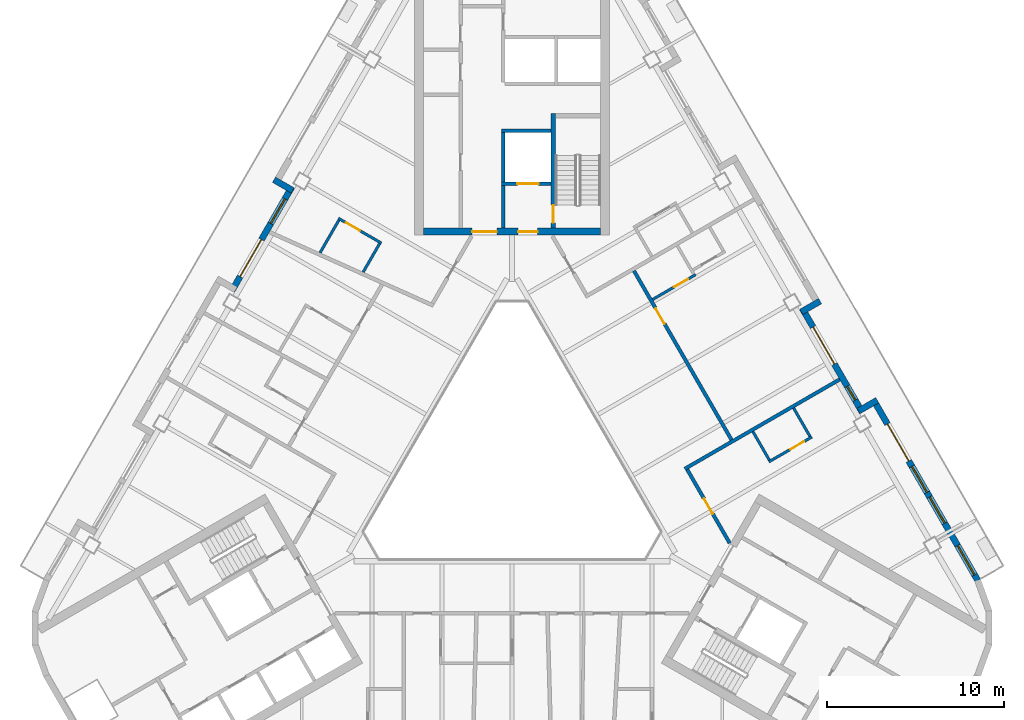
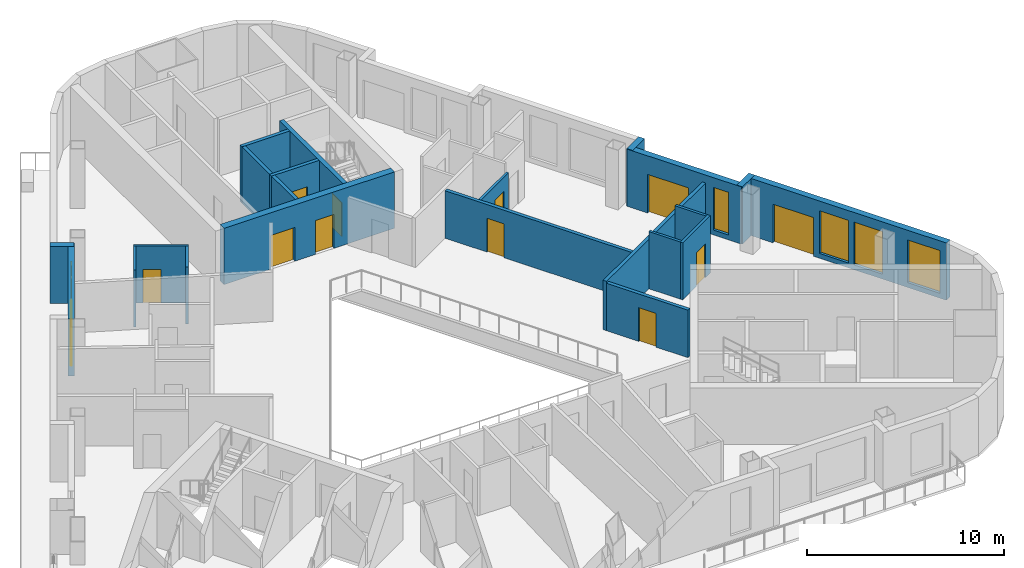
# One storey, part 6 of 14: 22 walls, 12 doors, 5 windows, 17 openings.
"""IFC4 building model written with IfcOpenShell, lengths in metres."""

from ifc_helpers import new_model, si_unit, direction, frame, frame_2d, origin, place, context, subcontext, project, spatial, rectangle, extrude, material, layer, layer_set, type_object, element, fill, save


model = new_model("IFC4")

# Units and contexts
model_context = context("Model", 3, precision=1e-05, world=origin(), true_north=direction((0.0, 1.0)))
body_context = subcontext(model_context, "Body", "Model", "MODEL_VIEW")
ifc_project = project(units=[si_unit("LENGTHUNIT", "METRE"), si_unit("AREAUNIT", "SQUARE_METRE"), si_unit("VOLUMEUNIT", "CUBIC_METRE"), si_unit("PLANEANGLEUNIT", "RADIAN"), si_unit("MASSUNIT", "GRAM", prefix="KILO")], contexts=[model_context])

# Site, building, storey
site_placement = place(None, origin())
site = spatial("IfcSite", under=ifc_project, at=site_placement, CompositionType="ELEMENT")
building_placement = place(site_placement, origin())
building = spatial("IfcBuilding", under=site, at=building_placement, Name="Apuvela Tower Hotel", CompositionType="ELEMENT")
storey_placement = place(building_placement, frame((0.0, 0.0, 220.60009765625)))
storey = spatial("IfcBuildingStorey", under=building, at=storey_placement, Name="L54", CompositionType="ELEMENT", Elevation=220.60009765625)

# Wall, openings, doors
ifc_material_1 = material(Name="Concrete C50/60", Category="concrete")
ifc_layer_1 = layer(ifc_material_1, 0.39990234375)
ifc_layer_set_1 = layer_set([ifc_layer_1], Name="COR-WALL-CORE-400")
wall_type_1 = type_object("IfcWallType", Name="COR-WALL-CORE-400", PredefinedType="SHEAR", material=ifc_layer_set_1)
wall_1_placement = place(storey_placement, frame((5.0, 13.10009765625, 0.0), z_axis=(0.0, 0.0, 1.0), x_axis=(-1.0, 0.0, 0.0)))
wall_1 = element("IfcWall", 1, at=wall_1_placement, inside=storey, type_object=wall_type_1, Name="Core wall N", PredefinedType="SHEAR", context=body_context, shape_type="SweptSolid", body=[
    extrude(rectangle(XDim=10.0, YDim=0.39990234375, at=frame_2d((5.0, 0.0))), origin(), (0.0, 0.0, 1.0), 3.5),
])
opening_1_placement = place(wall_1_placement, frame((3.550048828125, 0.0, 0.0)))
opening_1 = element("IfcOpeningElement", 2, at=opening_1_placement, cuts=wall_1, Name="Opening N-FD", PredefinedType="OPENING", context=body_context, shape_type="SweptSolid", body=[
    extrude(rectangle(XDim=1.10009765625, YDim=2.10009765625, at=frame_2d((0.550048828125, 1.050048828125))), frame((0.0, 0.2099609375, 0.0), z_axis=(0.0, -1.0, 0.0), x_axis=(1.0, 0.0, 0.0)), (0.0, 0.0, 1.0), 0.419921875),
])
opening_2_placement = place(wall_1_placement, frame((5.85009765625, 0.0, 0.0)))
opening_2 = element("IfcOpeningElement", 3, at=opening_2_placement, cuts=wall_1, Name="Opening N-GD", PredefinedType="OPENING", context=body_context, shape_type="SweptSolid", body=[
    extrude(rectangle(XDim=1.39990234375, YDim=2.10009765625, at=frame_2d((0.699951171875, 1.050048828125))), frame((0.0, 0.2099609375, 0.0), z_axis=(0.0, -1.0, 0.0), x_axis=(1.0, 0.0, 0.0)), (0.0, 0.0, 1.0), 0.419921875),
])
ifc_material_2 = material(Name="Steel fire door, powder coated", Category="steel")
door_type_1 = type_object("IfcDoorType", Name="COR-FD-1100", OperationType="NOTDEFINED", PredefinedType="DOOR", material=ifc_material_2)
door_1_placement = place(opening_1_placement, frame((1.10009765625, 0.0, 0.0), z_axis=(0.0, 0.0, 1.0), x_axis=(-1.0, 0.0, 0.0)))
door_1 = element("IfcDoor", 4, at=door_1_placement, inside=storey, type_object=door_type_1, Name="Firefighting lobby door N-FD", OperationType="SINGLE_SWING_LEFT", OverallHeight=2.10009765625, OverallWidth=1.10009765625, PredefinedType="DOOR", context=body_context, shape_type="SweptSolid", body=[
    extrude(rectangle(XDim=1.10009765625, YDim=2.10009765625, at=frame_2d((0.550048828125, 1.050048828125))), frame((0.0, 0.02490234375, 0.0), z_axis=(0.0, -1.0, 0.0), x_axis=(1.0, 0.0, 0.0)), (0.0, 0.0, 1.0), 0.050048828125),
])
fill(opening_1, door_1)
ifc_material_3 = material(Name="Glazed steel fire door", Category="steel")
door_type_2 = type_object("IfcDoorType", Name="COR-GD-1400", OperationType="DOUBLE_DOOR_SINGLE_SWING", PredefinedType="DOOR", material=ifc_material_3)
door_2_placement = place(opening_2_placement, frame((1.39990234375, 0.0, 0.0), z_axis=(0.0, 0.0, 1.0), x_axis=(-1.0, 0.0, 0.0)))
door_2 = element("IfcDoor", 5, at=door_2_placement, inside=storey, type_object=door_type_2, Name="Lift lobby door N-GD", OperationType="DOUBLE_DOOR_SINGLE_SWING", OverallHeight=2.10009765625, OverallWidth=1.39990234375, PredefinedType="DOOR", context=body_context, shape_type="SweptSolid", body=[
    extrude(rectangle(XDim=1.39990234375, YDim=2.10009765625, at=frame_2d((0.699951171875, 1.050048828125))), frame((0.0, 0.02490234375, 0.0), z_axis=(0.0, -1.0, 0.0), x_axis=(1.0, 0.0, 0.0)), (0.0, 0.0, 1.0), 0.050048828125),
])
fill(opening_2, door_2)

# Wall
ifc_layer_2 = layer(ifc_material_1, 0.199951171875)
ifc_layer_set_2 = layer_set([ifc_layer_2], Name="COR-WALL-SHAFT-200")
wall_type_2 = type_object("IfcWallType", Name="COR-WALL-SHAFT-200", PredefinedType="SHEAR", material=ifc_layer_set_2)
wall_2_placement = place(storey_placement, frame((2.199951171875, 18.800048828125, 0.0), z_axis=(0.0, 0.0, 1.0), x_axis=(-1.0, 0.0, 0.0)))
element("IfcWall", 6, at=wall_2_placement, inside=storey, type_object=wall_type_2, Name="Shaft wall N", PredefinedType="SHEAR", context=body_context, shape_type="SweptSolid", body=[
    extrude(rectangle(XDim=2.800048828125, YDim=0.199951171875, at=frame_2d((1.39990234375, 0.0))), origin(), (0.0, 0.0, 1.0), 3.5),
])

# Wall, opening, door
wall_3_placement = place(storey_placement, frame((2.199951171875, 15.800048828125, 0.0), z_axis=(0.0, 0.0, 1.0), x_axis=(-1.0, 0.0, 0.0)))
wall_3 = element("IfcWall", 7, at=wall_3_placement, inside=storey, type_object=wall_type_2, Name="Shaft wall N", PredefinedType="SHEAR", context=body_context, shape_type="SweptSolid", body=[
    extrude(rectangle(XDim=2.800048828125, YDim=0.199951171875, at=frame_2d((1.39990234375, 0.0))), origin(), (0.0, 0.0, 1.0), 3.5),
])
opening_3_placement = place(wall_3_placement, frame((0.699951171875, 0.0, 0.0)))
opening_3 = element("IfcOpeningElement", 8, at=opening_3_placement, cuts=wall_3, Name="Opening N-LD-FS1", PredefinedType="OPENING", context=body_context, shape_type="SweptSolid", body=[
    extrude(rectangle(XDim=1.199951171875, YDim=2.10009765625, at=frame_2d((0.60009765625, 1.050048828125))), frame((0.0, 0.10986328125, 0.0), z_axis=(0.0, -1.0, 0.0), x_axis=(1.0, 0.0, 0.0)), (0.0, 0.0, 1.0), 0.219970703125),
])
ifc_material_4 = material(Name="Stainless steel lift landing door", Category="steel")
door_type_3 = type_object("IfcDoorType", Name="COR-LD-1200", OperationType="DOUBLE_DOOR_SLIDING", PredefinedType="DOOR", material=ifc_material_4)
door_3_placement = place(opening_3_placement, origin())
door_3 = element("IfcDoor", 9, at=door_3_placement, inside=storey, type_object=door_type_3, Name="Lift landing door N-LD-FS1", OperationType="DOUBLE_DOOR_SLIDING", OverallHeight=2.10009765625, OverallWidth=1.199951171875, PredefinedType="DOOR", context=body_context, shape_type="SweptSolid", body=[
    extrude(rectangle(XDim=1.199951171875, YDim=2.10009765625, at=frame_2d((0.60009765625, 1.050048828125))), frame((0.0, 0.02490234375, 0.0), z_axis=(0.0, -1.0, 0.0), x_axis=(1.0, 0.0, 0.0)), (0.0, 0.0, 1.0), 0.050048828125),
])
fill(opening_3, door_3)

# Walls
wall_4_placement = place(storey_placement, frame((-0.5, 15.89990234375, 0.0), z_axis=(0.0, 0.0, 1.0), x_axis=(0.0, 1.0, 0.0)))
element("IfcWall", 10, at=wall_4_placement, inside=storey, type_object=wall_type_2, Name="Shaft wall N", PredefinedType="SHEAR", context=body_context, shape_type="SweptSolid", body=[
    extrude(rectangle(XDim=2.800048828125, YDim=0.199951171875, at=frame_2d((1.39990234375, 0.0))), origin(), (0.0, 0.0, 1.0), 3.5),
])
wall_5_placement = place(storey_placement, frame((-0.5, 13.300048828125, 0.0), z_axis=(0.0, 0.0, 1.0), x_axis=(0.0, 1.0, 0.0)))
element("IfcWall", 11, at=wall_5_placement, inside=storey, type_object=wall_type_2, Name="Shaft wall N", PredefinedType="SHEAR", context=body_context, shape_type="SweptSolid", body=[
    extrude(rectangle(XDim=2.39990234375, YDim=0.199951171875, at=frame_2d((1.199951171875, 0.0))), origin(), (0.0, 0.0, 1.0), 3.5),
])

# Wall, opening, door
ifc_layer_3 = layer(ifc_material_1, 0.25)
ifc_layer_set_3 = layer_set([ifc_layer_3], Name="COR-WALL-STAIR-250")
wall_type_3 = type_object("IfcWallType", Name="COR-WALL-STAIR-250", PredefinedType="SHEAR", material=ifc_layer_set_3)
wall_6_placement = place(storey_placement, frame((2.324951171875, 13.300048828125, 0.0), z_axis=(0.0, 0.0, 1.0), x_axis=(0.0, 1.0, 0.0)))
wall_6 = element("IfcWall", 12, at=wall_6_placement, inside=storey, type_object=wall_type_3, Name="Stair wall N", PredefinedType="SHEAR", context=body_context, shape_type="SweptSolid", body=[
    extrude(rectangle(XDim=6.449951171875, YDim=0.25, at=frame_2d((3.22509765625, 0.0))), origin(), (0.0, 0.0, 1.0), 3.5),
])
opening_4_placement = place(wall_6_placement, frame((0.300048828125, 0.0, 0.0)))
opening_4 = element("IfcOpeningElement", 13, at=opening_4_placement, cuts=wall_6, Name="Opening N-SD", PredefinedType="OPENING", context=body_context, shape_type="SweptSolid", body=[
    extrude(rectangle(XDim=1.0, YDim=2.10009765625, at=frame_2d((0.5, 1.050048828125))), frame((0.0, 0.135009765625, 0.0), z_axis=(0.0, -1.0, 0.0), x_axis=(1.0, 0.0, 0.0)), (0.0, 0.0, 1.0), 0.27001953125),
])
door_type_4 = type_object("IfcDoorType", Name="COR-SD-1000", OperationType="NOTDEFINED", PredefinedType="DOOR", material=ifc_material_2)
door_4_placement = place(opening_4_placement, frame((1.0, 0.0, 0.0), z_axis=(0.0, 0.0, 1.0), x_axis=(-1.0, 0.0, 0.0)))
door_4 = element("IfcDoor", 14, at=door_4_placement, inside=storey, type_object=door_type_4, Name="Stair door N-SD", OperationType="SINGLE_SWING_LEFT", OverallHeight=2.10009765625, OverallWidth=1.0, PredefinedType="DOOR", context=body_context, shape_type="SweptSolid", body=[
    extrude(rectangle(XDim=1.0, YDim=2.10009765625, at=frame_2d((0.5, 1.050048828125))), frame((0.0, 0.02490234375, 0.0), z_axis=(0.0, -1.0, 0.0), x_axis=(1.0, 0.0, 0.0)), (0.0, 0.0, 1.0), 0.050048828125),
])
fill(opening_4, door_4)

# Wall
ifc_material_5 = material(Name="Concrete C40/50, dark pigmented precast panel", Category="concrete")
ifc_layer_4 = layer(ifc_material_5, 0.35009765625)
ifc_layer_set_4 = layer_set([ifc_layer_4], Name="ENV-WALL-350")
wall_type_4 = type_object("IfcWallType", Name="ENV-WALL-350", PredefinedType="SOLIDWALL", material=ifc_layer_set_4)
wall_7_placement = place(storey_placement, frame((-13.41259765625, 16.02880859375, 0.0), z_axis=(0.0, 0.0, 1.0), x_axis=(0.866005645448, -0.500034220881, 0.0)))
element("IfcWall", 15, at=wall_7_placement, inside=storey, type_object=wall_type_4, Name="External wall L54-02", PredefinedType="SOLIDWALL", context=body_context, shape_type="SweptSolid", body=[
    extrude(rectangle(XDim=1.22021484375, YDim=0.35009765625, at=frame_2d((0.610107421875, 0.0))), origin(), (0.0, 0.0, 1.0), 3.5498046875),
])

# Wall, openings, door, window
wall_8_placement = place(storey_placement, frame((-12.408935546875, 15.616943359375, 0.0), z_axis=(0.0, 0.0, 1.0), x_axis=(-0.500003597184, -0.866023326939, 0.0)))
wall_8 = element("IfcWall", 16, at=wall_8_placement, inside=storey, type_object=wall_type_4, Name="External wall L54-03", PredefinedType="SOLIDWALL", context=body_context, shape_type="SweptSolid", body=[
    extrude(rectangle(XDim=6.740234375, YDim=0.35009765625, at=frame_2d((3.3701171875, 0.0))), origin(), (0.0, 0.0, 1.0), 3.5498046875),
])
opening_5_placement = place(wall_8_placement, frame((0.77001953125, 0.0, 0.300048828125)))
opening_5 = element("IfcOpeningElement", 17, at=opening_5_placement, cuts=wall_8, Name="Opening WN16", PredefinedType="OPENING", context=body_context, shape_type="SweptSolid", body=[
    extrude(rectangle(XDim=1.60009765625, YDim=2.64990234375, at=frame_2d((0.800048828125, 1.324951171875))), frame((0.0, 0.18505859375, 0.0), z_axis=(0.0, -1.0, 0.0), x_axis=(1.0, 0.0, 0.0)), (0.0, 0.0, 1.0), 0.3701171875),
])
opening_6_placement = place(wall_8_placement, frame((3.423828125, 0.0, 0.0)))
opening_6 = element("IfcOpeningElement", 18, at=opening_6_placement, cuts=wall_8, Name="Opening BD24", PredefinedType="OPENING", context=body_context, shape_type="SweptSolid", body=[
    extrude(rectangle(XDim=2.39990234375, YDim=2.39990234375, at=frame_2d((1.199951171875, 1.199951171875))), frame((0.0, 0.18505859375, 0.0), z_axis=(0.0, -1.0, 0.0), x_axis=(1.0, 0.0, 0.0)), (0.0, 0.0, 1.0), 0.3701171875),
])
ifc_material_6 = material(Name="Aluminium 6063-T6, dark bronze anodised frame with dark tinted laminated glass", Category="aluminium")
door_type_5 = type_object("IfcDoorType", Name="ENV-DOOR-BALCONY-2400x2400", OperationType="SLIDING_TO_LEFT", PredefinedType="DOOR", material=ifc_material_6)
door_5_placement = place(opening_6_placement, frame((2.39990234375, 0.0, 0.0), z_axis=(0.0, 0.0, 1.0), x_axis=(-1.0, 0.0, 0.0)))
door_5 = element("IfcDoor", 19, at=door_5_placement, inside=storey, type_object=door_type_5, Name="Balcony door BD24", OperationType="SLIDING_TO_LEFT", OverallHeight=2.39990234375, OverallWidth=2.39990234375, PredefinedType="DOOR", context=body_context, shape_type="SweptSolid", body=[
    extrude(rectangle(XDim=2.39990234375, YDim=2.39990234375, at=frame_2d((1.199951171875, 1.199951171875))), frame((0.0, 0.02490234375, 0.0), z_axis=(0.0, -1.0, 0.0), x_axis=(1.0, 0.0, 0.0)), (0.0, 0.0, 1.0), 0.050048828125),
])
fill(opening_6, door_5)
ifc_material_7 = material(Name="Glass, dark tinted laminated insulated glazing unit", Category="glass")
window_type_1 = type_object("IfcWindowType", Name="ENV-WIN-1600x2650", PartitioningType="SINGLE_PANEL", PredefinedType="WINDOW", material=ifc_material_7)
window_1_placement = place(opening_5_placement, origin())
window_1 = element("IfcWindow", 20, at=window_1_placement, inside=storey, type_object=window_type_1, Name="Window WN16", OverallHeight=2.64990234375, OverallWidth=1.60009765625, PartitioningType="SINGLE_PANEL", PredefinedType="WINDOW", context=body_context, shape_type="SweptSolid", body=[
    extrude(rectangle(XDim=1.60009765625, YDim=2.64990234375, at=frame_2d((0.800048828125, 1.324951171875))), frame((0.0, 0.030029296875, 0.0), z_axis=(0.0, -1.0, 0.0), x_axis=(1.0, 0.0, 0.0)), (0.0, 0.0, 1.0), 0.06005859375),
])
fill(opening_5, window_1)

# Wall, openings, door, windows
wall_9_placement = place(storey_placement, frame((26.256591796875, -6.5673828125, 0.0), z_axis=(0.0, 0.0, 1.0), x_axis=(-0.500023526245, 0.866011820475, 0.0)))
wall_9 = element("IfcWall", 21, at=wall_9_placement, inside=storey, type_object=wall_type_4, Name="External wall L54-33", PredefinedType="SOLIDWALL", context=body_context, shape_type="SweptSolid", body=[
    extrude(rectangle(XDim=11.81591796875, YDim=0.35009765625, at=frame_2d((5.907958984375, 0.0))), origin(), (0.0, 0.0, 1.0), 3.5498046875),
])
opening_7_placement = place(wall_9_placement, frame((0.380126953125, 0.0, 0.300048828125)))
opening_7 = element("IfcOpeningElement", 22, at=opening_7_placement, cuts=wall_9, Name="Opening WN19", PredefinedType="OPENING", context=body_context, shape_type="SweptSolid", body=[
    extrude(rectangle(XDim=1.89990234375, YDim=2.64990234375, at=frame_2d((0.949951171875, 1.324951171875))), frame((0.0, 0.18505859375, 0.0), z_axis=(0.0, -1.0, 0.0), x_axis=(1.0, 0.0, 0.0)), (0.0, 0.0, 1.0), 0.3701171875),
])
opening_8_placement = place(wall_9_placement, frame((7.791015625, 0.0, 0.0)))
opening_8 = element("IfcOpeningElement", 23, at=opening_8_placement, cuts=wall_9, Name="Opening BD24", PredefinedType="OPENING", context=body_context, shape_type="SweptSolid", body=[
    extrude(rectangle(XDim=2.39990234375, YDim=2.39990234375, at=frame_2d((1.199951171875, 1.199951171875))), frame((0.0, 0.18505859375, 0.0), z_axis=(0.0, -1.0, 0.0), x_axis=(1.0, 0.0, 0.0)), (0.0, 0.0, 1.0), 0.3701171875),
])
opening_9_placement = place(wall_9_placement, frame((3.74072265625, 0.0, 0.300048828125)))
opening_9 = element("IfcOpeningElement", 24, at=opening_9_placement, cuts=wall_9, Name="Opening WN17", PredefinedType="OPENING", context=body_context, shape_type="SweptSolid", body=[
    extrude(rectangle(XDim=1.699951171875, YDim=2.64990234375, at=frame_2d((0.85009765625, 1.324951171875))), frame((0.0, 0.18505859375, 0.0), z_axis=(0.0, -1.0, 0.0), x_axis=(1.0, 0.0, 0.0)), (0.0, 0.0, 1.0), 0.3701171875),
])
opening_10_placement = place(wall_9_placement, frame((5.74072265625, 0.0, 0.300048828125)))
opening_10 = element("IfcOpeningElement", 25, at=opening_10_placement, cuts=wall_9, Name="Opening WN17", PredefinedType="OPENING", context=body_context, shape_type="SweptSolid", body=[
    extrude(rectangle(XDim=1.699951171875, YDim=2.64990234375, at=frame_2d((0.85009765625, 1.324951171875))), frame((0.0, 0.18505859375, 0.0), z_axis=(0.0, -1.0, 0.0), x_axis=(1.0, 0.0, 0.0)), (0.0, 0.0, 1.0), 0.3701171875),
])
door_6_placement = place(opening_8_placement, frame((2.39990234375, 0.0, 0.0), z_axis=(0.0, 0.0, 1.0), x_axis=(-1.0, 0.0, 0.0)))
door_6 = element("IfcDoor", 26, at=door_6_placement, inside=storey, type_object=door_type_5, Name="Balcony door BD24", OperationType="SLIDING_TO_LEFT", OverallHeight=2.39990234375, OverallWidth=2.39990234375, PredefinedType="DOOR", context=body_context, shape_type="SweptSolid", body=[
    extrude(rectangle(XDim=2.39990234375, YDim=2.39990234375, at=frame_2d((1.199951171875, 1.199951171875))), frame((0.0, 0.02490234375, 0.0), z_axis=(0.0, -1.0, 0.0), x_axis=(1.0, 0.0, 0.0)), (0.0, 0.0, 1.0), 0.050048828125),
])
fill(opening_8, door_6)
window_type_2 = type_object("IfcWindowType", Name="ENV-WIN-1700x2650", PartitioningType="SINGLE_PANEL", PredefinedType="WINDOW", material=ifc_material_7)
window_2_placement = place(opening_9_placement, origin())
window_2 = element("IfcWindow", 27, at=window_2_placement, inside=storey, type_object=window_type_2, Name="Window WN17", OverallHeight=2.64990234375, OverallWidth=1.699951171875, PartitioningType="SINGLE_PANEL", PredefinedType="WINDOW", context=body_context, shape_type="SweptSolid", body=[
    extrude(rectangle(XDim=1.699951171875, YDim=2.64990234375, at=frame_2d((0.85009765625, 1.324951171875))), frame((0.0, 0.030029296875, 0.0), z_axis=(0.0, -1.0, 0.0), x_axis=(1.0, 0.0, 0.0)), (0.0, 0.0, 1.0), 0.06005859375),
])
fill(opening_9, window_2)
window_3_placement = place(opening_10_placement, origin())
window_3 = element("IfcWindow", 28, at=window_3_placement, inside=storey, type_object=window_type_2, Name="Window WN17", OverallHeight=2.64990234375, OverallWidth=1.699951171875, PartitioningType="SINGLE_PANEL", PredefinedType="WINDOW", context=body_context, shape_type="SweptSolid", body=[
    extrude(rectangle(XDim=1.699951171875, YDim=2.64990234375, at=frame_2d((0.85009765625, 1.324951171875))), frame((0.0, 0.030029296875, 0.0), z_axis=(0.0, -1.0, 0.0), x_axis=(1.0, 0.0, 0.0)), (0.0, 0.0, 1.0), 0.06005859375),
])
fill(opening_10, window_3)
window_type_3 = type_object("IfcWindowType", Name="ENV-WIN-1900x2650", PartitioningType="SINGLE_PANEL", PredefinedType="WINDOW", material=ifc_material_7)
window_4_placement = place(opening_7_placement, origin())
window_4 = element("IfcWindow", 29, at=window_4_placement, inside=storey, type_object=window_type_3, Name="Window WN19", OverallHeight=2.64990234375, OverallWidth=1.89990234375, PartitioningType="SINGLE_PANEL", PredefinedType="WINDOW", context=body_context, shape_type="SweptSolid", body=[
    extrude(rectangle(XDim=1.89990234375, YDim=2.64990234375, at=frame_2d((0.949951171875, 1.324951171875))), frame((0.0, 0.030029296875, 0.0), z_axis=(0.0, -1.0, 0.0), x_axis=(1.0, 0.0, 0.0)), (0.0, 0.0, 1.0), 0.06005859375),
])
fill(opening_7, window_4)

# Wall
wall_10_placement = place(storey_placement, frame((20.587646484375, 3.601318359375, 0.0), z_axis=(0.0, 0.0, 1.0), x_axis=(-0.866005645448, -0.500034220881, 0.0)))
element("IfcWall", 30, at=wall_10_placement, inside=storey, type_object=wall_type_4, Name="External wall L54-34", PredefinedType="SOLIDWALL", context=body_context, shape_type="SweptSolid", body=[
    extrude(rectangle(XDim=1.22021484375, YDim=0.35009765625, at=frame_2d((0.610107421875, 0.0))), origin(), (0.0, 0.0, 1.0), 3.5498046875),
])

# Wall, openings, door, window
wall_11_placement = place(storey_placement, frame((19.72900390625, 2.93798828125, 0.0), z_axis=(0.0, 0.0, 1.0), x_axis=(-0.499976430342, 0.866039011305, 0.0)))
wall_11 = element("IfcWall", 31, at=wall_11_placement, inside=storey, type_object=wall_type_4, Name="External wall L54-35", PredefinedType="SOLIDWALL", context=body_context, shape_type="SweptSolid", body=[
    extrude(rectangle(XDim=6.739990234375, YDim=0.35009765625, at=frame_2d((3.3701171875, 0.0))), origin(), (0.0, 0.0, 1.0), 3.5498046875),
])
opening_11_placement = place(wall_11_placement, frame((0.77001953125, 0.0, 0.300048828125)))
opening_11 = element("IfcOpeningElement", 32, at=opening_11_placement, cuts=wall_11, Name="Opening WN09", PredefinedType="OPENING", context=body_context, shape_type="SweptSolid", body=[
    extrude(rectangle(XDim=0.89990234375, YDim=2.64990234375, at=frame_2d((0.449951171875, 1.324951171875))), frame((0.0, 0.18505859375, 0.0), z_axis=(0.0, -1.0, 0.0), x_axis=(1.0, 0.0, 0.0)), (0.0, 0.0, 1.0), 0.3701171875),
])
opening_12_placement = place(wall_11_placement, frame((3.1201171875, 0.0, 0.0)))
opening_12 = element("IfcOpeningElement", 33, at=opening_12_placement, cuts=wall_11, Name="Opening BD24", PredefinedType="OPENING", context=body_context, shape_type="SweptSolid", body=[
    extrude(rectangle(XDim=2.39990234375, YDim=2.39990234375, at=frame_2d((1.199951171875, 1.199951171875))), frame((0.0, 0.18505859375, 0.0), z_axis=(0.0, -1.0, 0.0), x_axis=(1.0, 0.0, 0.0)), (0.0, 0.0, 1.0), 0.3701171875),
])
door_7_placement = place(opening_12_placement, frame((2.39990234375, 0.0, 0.0), z_axis=(0.0, 0.0, 1.0), x_axis=(-1.0, 0.0, 0.0)))
door_7 = element("IfcDoor", 34, at=door_7_placement, inside=storey, type_object=door_type_5, Name="Balcony door BD24", OperationType="SLIDING_TO_LEFT", OverallHeight=2.39990234375, OverallWidth=2.39990234375, PredefinedType="DOOR", context=body_context, shape_type="SweptSolid", body=[
    extrude(rectangle(XDim=2.39990234375, YDim=2.39990234375, at=frame_2d((1.199951171875, 1.199951171875))), frame((0.0, 0.02490234375, 0.0), z_axis=(0.0, -1.0, 0.0), x_axis=(1.0, 0.0, 0.0)), (0.0, 0.0, 1.0), 0.050048828125),
])
fill(opening_12, door_7)
window_type_4 = type_object("IfcWindowType", Name="ENV-WIN-900x2650", PartitioningType="SINGLE_PANEL", PredefinedType="WINDOW", material=ifc_material_7)
window_5_placement = place(opening_11_placement, origin())
window_5 = element("IfcWindow", 35, at=window_5_placement, inside=storey, type_object=window_type_4, Name="Window WN09", OverallHeight=2.64990234375, OverallWidth=0.89990234375, PartitioningType="SINGLE_PANEL", PredefinedType="WINDOW", context=body_context, shape_type="SweptSolid", body=[
    extrude(rectangle(XDim=0.89990234375, YDim=2.64990234375, at=frame_2d((0.449951171875, 1.324951171875))), frame((0.0, 0.030029296875, 0.0), z_axis=(0.0, -1.0, 0.0), x_axis=(1.0, 0.0, 0.0)), (0.0, 0.0, 1.0), 0.06005859375),
])
fill(opening_11, window_5)

# Walls
wall_12_placement = place(storey_placement, frame((16.305908203125, 8.5771484375, 0.0), z_axis=(0.0, 0.0, 1.0), x_axis=(0.866092288191, 0.499884134912, 0.0)))
element("IfcWall", 36, at=wall_12_placement, inside=storey, type_object=wall_type_4, Name="External wall L54-36", PredefinedType="SOLIDWALL", context=body_context, shape_type="SweptSolid", body=[
    extrude(rectangle(XDim=1.219970703125, YDim=0.35009765625, at=frame_2d((0.60986328125, 0.0))), origin(), (0.0, 0.0, 1.0), 3.5498046875),
])
ifc_material_8 = material(Name="Gypsum board partition on twin steel stud", Category="steel")
ifc_layer_5 = layer(ifc_material_8, 0.199951171875)
ifc_layer_set_5 = layer_set([ifc_layer_5], Name="GST-PW1")
wall_type_5 = type_object("IfcWallType", Name="GST-PW1", PredefinedType="PARTITIONING", material=ifc_layer_set_5)
wall_13_placement = place(storey_placement, frame((18.467529296875, 4.773193359375, 0.0), z_axis=(0.0, 0.0, 1.0), x_axis=(-0.866033125095, -0.499986626058, 0.0)))
element("IfcWall", 37, at=wall_13_placement, inside=storey, type_object=wall_type_5, Name="L54 partition 05", PredefinedType="PARTITIONING", context=body_context, shape_type="SweptSolid", body=[
    extrude(rectangle(XDim=10.079833984375, YDim=0.199951171875, at=frame_2d((5.0400390625, 0.0))), origin(), (0.0, 0.0, 1.0), 3.059814453125),
])

# Wall, opening, door
ifc_material_9 = material(Name="Gypsum board corridor wall on twin steel stud, acoustic", Category="steel")
ifc_layer_6 = layer(ifc_material_9, 0.199951171875)
ifc_layer_set_6 = layer_set([ifc_layer_6], Name="GST-PW2")
wall_type_6 = type_object("IfcWallType", Name="GST-PW2", PredefinedType="PARTITIONING", material=ifc_layer_set_6)
wall_14_placement = place(storey_placement, frame((9.87451171875, -0.30322265625, 0.0), z_axis=(0.0, 0.0, 1.0), x_axis=(0.500026984917, -0.866009823475, 0.0)))
wall_14 = element("IfcWall", 38, at=wall_14_placement, inside=storey, type_object=wall_type_6, Name="L54 partition 27", PredefinedType="PARTITIONING", context=body_context, shape_type="SweptSolid", body=[
    extrude(rectangle(XDim=4.788330078125, YDim=0.199951171875, at=frame_2d((2.39404296875, 0.0))), origin(), (0.0, 0.0, 1.0), 2.949951171875),
])
opening_13_placement = place(wall_14_placement, frame((1.89404296875, 0.0, 0.0)))
opening_13 = element("IfcOpeningElement", 39, at=opening_13_placement, cuts=wall_14, Name="Opening GD21-12", PredefinedType="OPENING", context=body_context, shape_type="SweptSolid", body=[
    extrude(rectangle(XDim=1.0, YDim=2.10009765625, at=frame_2d((0.5, 1.050048828125))), frame((0.0, 0.10986328125, 0.0), z_axis=(0.0, -1.0, 0.0), x_axis=(1.0, 0.0, 0.0)), (0.0, 0.0, 1.0), 0.219970703125),
])
ifc_material_10 = material(Name="Timber door leaf in steel frame", Category="steel")
door_type_6 = type_object("IfcDoorType", Name="GST-D1", OperationType="NOTDEFINED", PredefinedType="DOOR", material=ifc_material_10)
door_8_placement = place(opening_13_placement, origin())
door_8 = element("IfcDoor", 40, at=door_8_placement, inside=storey, type_object=door_type_6, Name="Door L54-12", OperationType="SINGLE_SWING_LEFT", OverallHeight=2.10009765625, OverallWidth=1.0, PredefinedType="DOOR", context=body_context, shape_type="SweptSolid", body=[
    extrude(rectangle(XDim=1.0, YDim=2.10009765625, at=frame_2d((0.5, 1.050048828125))), frame((0.0, 0.02490234375, 0.0), z_axis=(0.0, -1.0, 0.0), x_axis=(1.0, 0.0, 0.0)), (0.0, 0.0, 1.0), 0.050048828125),
])
fill(opening_13, door_8)

wall_15_placement = place(storey_placement, frame((6.872802734375, 10.896240234375, 0.0), z_axis=(0.0, 0.0, 1.0), x_axis=(0.499996545922, -0.866027397988, 0.0)))
wall_15 = element("IfcWall", 41, at=wall_15_placement, inside=storey, type_object=wall_type_6, Name="L54 partition 31", PredefinedType="PARTITIONING", context=body_context, shape_type="SweptSolid", body=[
    extrude(rectangle(XDim=11.0, YDim=0.199951171875, at=frame_2d((5.5, 0.0))), origin(), (0.0, 0.0, 1.0), 2.949951171875),
])
opening_14_placement = place(wall_15_placement, frame((2.449951171875, 0.0, 0.0)))
opening_14 = element("IfcOpeningElement", 42, at=opening_14_placement, cuts=wall_15, Name="Opening GD21-15", PredefinedType="OPENING", context=body_context, shape_type="SweptSolid", body=[
    extrude(rectangle(XDim=1.0, YDim=2.10009765625, at=frame_2d((0.5, 1.050048828125))), frame((0.0, 0.10986328125, 0.0), z_axis=(0.0, -1.0, 0.0), x_axis=(1.0, 0.0, 0.0)), (0.0, 0.0, 1.0), 0.219970703125),
])
door_9_placement = place(opening_14_placement, origin())
door_9 = element("IfcDoor", 43, at=door_9_placement, inside=storey, type_object=door_type_6, Name="Door L54-15", OperationType="SINGLE_SWING_RIGHT", OverallHeight=2.10009765625, OverallWidth=1.0, PredefinedType="DOOR", context=body_context, shape_type="SweptSolid", body=[
    extrude(rectangle(XDim=1.0, YDim=2.10009765625, at=frame_2d((0.5, 1.050048828125))), frame((0.0, 0.02490234375, 0.0), z_axis=(0.0, -1.0, 0.0), x_axis=(1.0, 0.0, 0.0)), (0.0, 0.0, 1.0), 0.050048828125),
])
fill(opening_14, door_9)

ifc_material_11 = material(Name="Moisture-resistant gypsum board wet wall on steel stud", Category="steel")
ifc_layer_7 = layer(ifc_material_11, 0.14990234375)
ifc_layer_set_7 = layer_set([ifc_layer_7], Name="GST-PW3")
wall_type_7 = type_object("IfcWallType", Name="GST-PW3", PredefinedType="PARTITIONING", material=ifc_layer_set_7)
wall_16_placement = place(storey_placement, frame((14.474365234375, 0.129638671875, 0.0), z_axis=(0.0, 0.0, 1.0), x_axis=(0.866056369097, 0.49994636267, 0.0)))
wall_16 = element("IfcWall", 44, at=wall_16_placement, inside=storey, type_object=wall_type_7, Name="L54 partition 28", PredefinedType="PARTITIONING", context=body_context, shape_type="SweptSolid", body=[
    extrude(rectangle(XDim=2.800048828125, YDim=0.14990234375, at=frame_2d((1.39990234375, 0.0))), origin(), (0.0, 0.0, 1.0), 3.5498046875),
])
opening_15_placement = place(wall_16_placement, frame((1.39990234375, 0.0, 0.0)))
opening_15 = element("IfcOpeningElement", 45, at=opening_15_placement, cuts=wall_16, Name="Opening GD21-11", PredefinedType="OPENING", context=body_context, shape_type="SweptSolid", body=[
    extrude(rectangle(XDim=0.89990234375, YDim=2.10009765625, at=frame_2d((0.449951171875, 1.050048828125))), frame((0.0, 0.0849609375, 0.0), z_axis=(0.0, -1.0, 0.0), x_axis=(1.0, 0.0, 0.0)), (0.0, 0.0, 1.0), 0.169921875),
])
door_type_7 = type_object("IfcDoorType", Name="GST-D2", OperationType="NOTDEFINED", PredefinedType="DOOR", material=ifc_material_10)
door_10_placement = place(opening_15_placement, origin())
door_10 = element("IfcDoor", 46, at=door_10_placement, inside=storey, type_object=door_type_7, Name="Door L54-11", OperationType="SINGLE_SWING_RIGHT", OverallHeight=2.10009765625, OverallWidth=0.89990234375, PredefinedType="DOOR", context=body_context, shape_type="SweptSolid", body=[
    extrude(rectangle(XDim=0.89990234375, YDim=2.10009765625, at=frame_2d((0.449951171875, 1.050048828125))), frame((0.0, 0.02490234375, 0.0), z_axis=(0.0, -1.0, 0.0), x_axis=(1.0, 0.0, 0.0)), (0.0, 0.0, 1.0), 0.050048828125),
])
fill(opening_15, door_10)

# Walls
for number, where, z_axis, x_axis, name in (
    (47, (16.796875, 1.556884765625, 0.0), (0.0, 0.0, 1.0), (-0.499985172903, 0.866033964044, 0.0), "L54 partition 29"),
    (48, (14.501953125, 0.23193359375, 0.0), (0.0, 0.0, 1.0), (-0.499985172903, 0.866033964044, 0.0), "L54 partition 30"),
):
    element("IfcWall", number, at=place(storey_placement, frame(where, z_axis=z_axis, x_axis=x_axis)), inside=storey, type_object=wall_type_7, Name=name, PredefinedType="PARTITIONING", context=body_context, shape_type="SweptSolid", body=[
        extrude(rectangle(XDim=1.85009765625, YDim=0.14990234375, at=frame_2d((0.925048828125, 0.0))), origin(), (0.0, 0.0, 1.0), 3.5498046875),
    ])

# Wall, opening, door
wall_17_placement = place(storey_placement, frame((7.921875, 9.279052734375, 0.0), z_axis=(0.0, 0.0, 1.0), x_axis=(0.865996816683, 0.500049511043, 0.0)))
wall_17 = element("IfcWall", 49, at=wall_17_placement, inside=storey, type_object=wall_type_7, Name="L54 partition 32", PredefinedType="PARTITIONING", context=body_context, shape_type="SweptSolid", body=[
    extrude(rectangle(XDim=2.800048828125, YDim=0.14990234375, at=frame_2d((1.39990234375, 0.0))), origin(), (0.0, 0.0, 1.0), 2.949951171875),
])
opening_16_placement = place(wall_17_placement, frame((1.39990234375, 0.0, 0.0)))
opening_16 = element("IfcOpeningElement", 50, at=opening_16_placement, cuts=wall_17, Name="Opening GD21-13", PredefinedType="OPENING", context=body_context, shape_type="SweptSolid", body=[
    extrude(rectangle(XDim=0.89990234375, YDim=2.10009765625, at=frame_2d((0.449951171875, 1.050048828125))), frame((0.0, 0.0849609375, 0.0), z_axis=(0.0, -1.0, 0.0), x_axis=(1.0, 0.0, 0.0)), (0.0, 0.0, 1.0), 0.169921875),
])
door_11_placement = place(opening_16_placement, origin())
door_11 = element("IfcDoor", 51, at=door_11_placement, inside=storey, type_object=door_type_7, Name="Door L54-13", OperationType="SINGLE_SWING_RIGHT", OverallHeight=2.10009765625, OverallWidth=0.89990234375, PredefinedType="DOOR", context=body_context, shape_type="SweptSolid", body=[
    extrude(rectangle(XDim=0.89990234375, YDim=2.10009765625, at=frame_2d((0.449951171875, 1.050048828125))), frame((0.0, 0.02490234375, 0.0), z_axis=(0.0, -1.0, 0.0), x_axis=(1.0, 0.0, 0.0)), (0.0, 0.0, 1.0), 0.050048828125),
])
fill(opening_16, door_11)

wall_18_placement = place(storey_placement, frame((-7.3583984375, 12.455078125, 0.0), z_axis=(0.0, 0.0, 1.0), x_axis=(-0.866034573852, 0.49998411664, 0.0)))
wall_18 = element("IfcWall", 52, at=wall_18_placement, inside=storey, type_object=wall_type_7, Name="L54 partition 41", PredefinedType="PARTITIONING", context=body_context, shape_type="SweptSolid", body=[
    extrude(rectangle(XDim=2.7998046875, YDim=0.14990234375, at=frame_2d((1.39990234375, 0.0))), origin(), (0.0, 0.0, 1.0), 3.5498046875),
])
opening_17_placement = place(wall_18_placement, frame((1.39990234375, 0.0, 0.0)))
opening_17 = element("IfcOpeningElement", 53, at=opening_17_placement, cuts=wall_18, Name="Opening GD21-18", PredefinedType="OPENING", context=body_context, shape_type="SweptSolid", body=[
    extrude(rectangle(XDim=0.89990234375, YDim=2.10009765625, at=frame_2d((0.449951171875, 1.050048828125))), frame((0.0, 0.0849609375, 0.0), z_axis=(0.0, -1.0, 0.0), x_axis=(1.0, 0.0, 0.0)), (0.0, 0.0, 1.0), 0.169921875),
])
door_12_placement = place(opening_17_placement, origin())
door_12 = element("IfcDoor", 54, at=door_12_placement, inside=storey, type_object=door_type_7, Name="Door L54-18", OperationType="SINGLE_SWING_RIGHT", OverallHeight=2.10009765625, OverallWidth=0.89990234375, PredefinedType="DOOR", context=body_context, shape_type="SweptSolid", body=[
    extrude(rectangle(XDim=0.89990234375, YDim=2.10009765625, at=frame_2d((0.449951171875, 1.050048828125))), frame((0.0, 0.02490234375, 0.0), z_axis=(0.0, -1.0, 0.0), x_axis=(1.0, 0.0, 0.0)), (0.0, 0.0, 1.0), 0.050048828125),
])
fill(opening_17, door_12)

# Walls
wall_19_placement = place(storey_placement, frame((-9.755859375, 13.75244140625, 0.0), z_axis=(0.0, 0.0, 1.0), x_axis=(-0.50001378257, -0.866017446268, 0.0)))
element("IfcWall", 55, at=wall_19_placement, inside=storey, type_object=wall_type_7, Name="L54 partition 42", PredefinedType="PARTITIONING", context=body_context, shape_type="SweptSolid", body=[
    extrude(rectangle(XDim=2.1279296875, YDim=0.14990234375, at=frame_2d((1.06396484375, 0.0))), origin(), (0.0, 0.0, 1.0), 3.5498046875),
])
wall_20_placement = place(storey_placement, frame((-7.460693359375, 12.427490234375, 0.0), z_axis=(0.0, 0.0, 1.0), x_axis=(-0.500025795397, -0.866010510293, 0.0)))
element("IfcWall", 56, at=wall_20_placement, inside=storey, type_object=wall_type_7, Name="L54 partition 43", PredefinedType="PARTITIONING", context=body_context, shape_type="SweptSolid", body=[
    extrude(rectangle(XDim=1.85791015625, YDim=0.14990234375, at=frame_2d((0.928955078125, 0.0))), origin(), (0.0, 0.0, 1.0), 3.5498046875),
])

save(model, "model.ifc")
